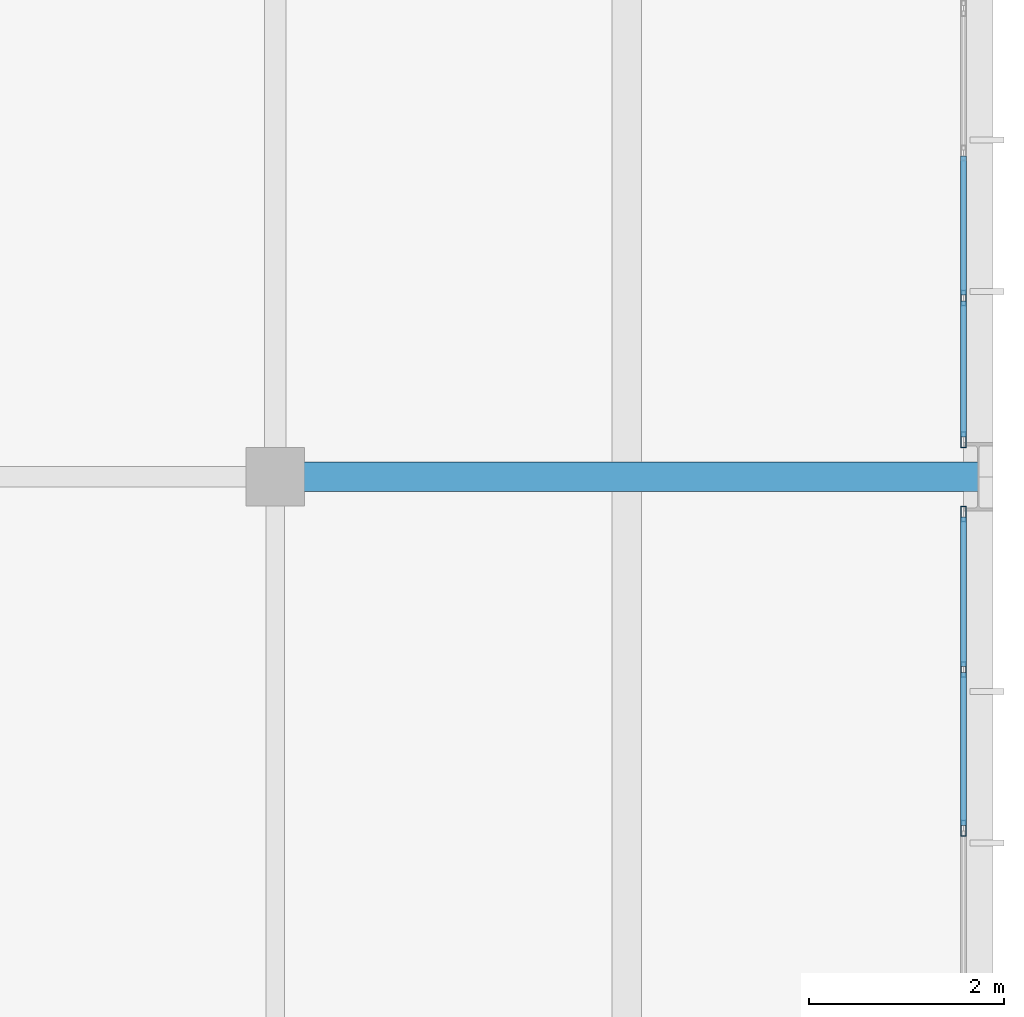
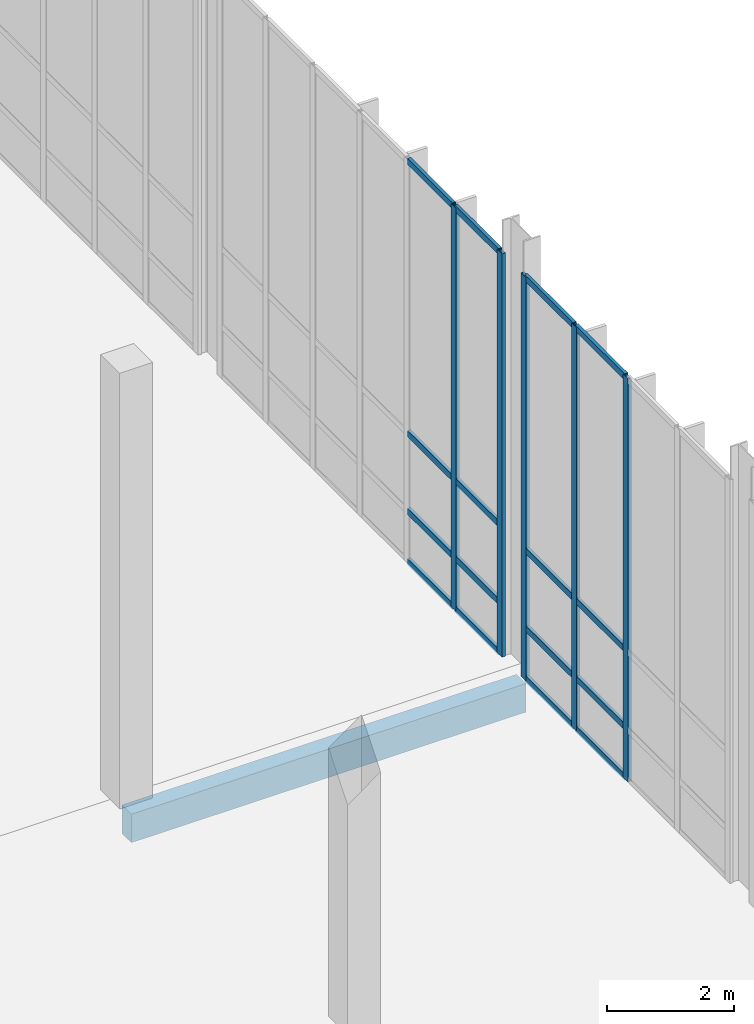
# One storey, part 92 of 131: 21 members, 1 beam, 2 elements without a shape of their own.
"""IFC4 building model written with IfcOpenShell, lengths in metres."""

from ifc_helpers import new_model, si_unit, direction, frame, origin, origin_2d, place, context, subcontext, project, spatial, rectangle, hollow_rectangle, extrude, material, material_profile, profile_set, type_object, element, aggregate, save


model = new_model("IFC4")

# Units and contexts
model_context = context("Model", 3, precision=1e-05, world=origin(), true_north=direction((0.0, 1.0)))
body_context = subcontext(model_context, "Body", "Model", "MODEL_VIEW")
ifc_project = project(units=[si_unit("LENGTHUNIT", "METRE"), si_unit("AREAUNIT", "SQUARE_METRE"), si_unit("VOLUMEUNIT", "CUBIC_METRE"), si_unit("PLANEANGLEUNIT", "RADIAN"), si_unit("MASSUNIT", "GRAM", prefix="KILO")], contexts=[model_context])

# Site, building, storey
site_placement = place(None, origin())
site = spatial("IfcSite", under=ifc_project, at=site_placement, CompositionType="ELEMENT")
building_placement = place(site_placement, origin())
building = spatial("IfcBuilding", under=site, at=building_placement, Name="Veltarok Museum of Natural Sciences", CompositionType="ELEMENT")
storey_placement = place(building_placement, origin())
storey = spatial("IfcBuildingStorey", under=building, at=storey_placement, Name="L00", CompositionType="ELEMENT", Elevation=0.0)

# Curtain wall, members
ifc_material_1 = material(Name="Low-iron triple insulated glass", Category="glass")
curtain_wall_type_1 = type_object("IfcCurtainWallType", Name="Curtain Wall System CW-V5E-L00-C-650x778 (V5 East Lab L00 C-D 650x778cm)", PredefinedType="NOTDEFINED", material=ifc_material_1)
curtain_wall_1_placement = place(storey_placement, origin())
curtain_wall_1 = element("IfcCurtainWall", 1, at=curtain_wall_1_placement, inside=storey, type_object=curtain_wall_type_1, Name="Curtain Wall CW-V5E-L00-C-650x778 CW-0100", PredefinedType="NOTDEFINED")
ifc_material_2 = material(Name="Thermally broken anodised aluminium", Category="aluminium")
ifc_material_profile_1 = material_profile(ifc_material_2, hollow_rectangle(XDim=0.06005859375, YDim=0.1201171875, WallThickness=0.0048828125, at=origin_2d()), Name="CW TRANSOM 60x120x5")
ifc_profile_set_1 = profile_set([ifc_material_profile_1], Name="Thermally broken anodised aluminium")
member_type_1 = type_object("IfcMemberType", Name="Curtain Wall Horizontal Transom 60x120x5", PredefinedType="USERDEFINED", material=ifc_profile_set_1)
member_1_placement = place(storey_placement, frame((164.64990234375, 22.830078125, 0.030029296875), z_axis=(0.0, 1.0, 0.0), x_axis=(-1.0, 0.0, 0.0)))
member_1 = element("IfcMember", 2, at=member_1_placement, type_object=member_type_1, Name="CW-V5E-L00-C-650x778 transom 3.1", ObjectType="TRANSOM", PredefinedType="USERDEFINED", context=body_context, shape_type="SweptSolid", body=[
    extrude(hollow_rectangle(XDim=0.06005859375, YDim=0.1201171875, WallThickness=0.0048828125, at=origin_2d()), origin(), (0.0, 0.0, 1.0), 1.56494140625),
])
member_2_placement = place(storey_placement, frame((164.64990234375, 22.830078125, 1.0), z_axis=(0.0, 1.0, 0.0), x_axis=(-1.0, 0.0, 0.0)))
member_2 = element("IfcMember", 3, at=member_2_placement, type_object=member_type_1, Name="CW-V5E-L00-C-650x778 transom 3.2", ObjectType="TRANSOM", PredefinedType="USERDEFINED", context=body_context, shape_type="SweptSolid", body=[
    extrude(hollow_rectangle(XDim=0.06005859375, YDim=0.1201171875, WallThickness=0.0048828125, at=origin_2d()), origin(), (0.0, 0.0, 1.0), 1.56494140625),
])
member_3_placement = place(storey_placement, frame((164.64990234375, 22.830078125, 2.5), z_axis=(0.0, 1.0, 0.0), x_axis=(-1.0, 0.0, 0.0)))
member_3 = element("IfcMember", 4, at=member_3_placement, type_object=member_type_1, Name="CW-V5E-L00-C-650x778 transom 3.3", ObjectType="TRANSOM", PredefinedType="USERDEFINED", context=body_context, shape_type="SweptSolid", body=[
    extrude(hollow_rectangle(XDim=0.06005859375, YDim=0.1201171875, WallThickness=0.0048828125, at=origin_2d()), origin(), (0.0, 0.0, 1.0), 1.56494140625),
])
member_4_placement = place(storey_placement, frame((164.64990234375, 22.830078125, 7.75), z_axis=(0.0, 1.0, 0.0), x_axis=(-1.0, 0.0, 0.0)))
member_4 = element("IfcMember", 5, at=member_4_placement, type_object=member_type_1, Name="CW-V5E-L00-C-650x778 transom 3.4", ObjectType="TRANSOM", PredefinedType="USERDEFINED", context=body_context, shape_type="SweptSolid", body=[
    extrude(hollow_rectangle(XDim=0.06005859375, YDim=0.1201171875, WallThickness=0.0048828125, at=origin_2d()), origin(), (0.0, 0.0, 1.0), 1.56494140625),
])
member_5_placement = place(storey_placement, frame((164.64990234375, 24.455078125, 0.030029296875), z_axis=(0.0, 1.0, 0.0), x_axis=(-1.0, 0.0, 0.0)))
member_5 = element("IfcMember", 6, at=member_5_placement, type_object=member_type_1, Name="CW-V5E-L00-C-650x778 transom 4.1", ObjectType="TRANSOM", PredefinedType="USERDEFINED", context=body_context, shape_type="SweptSolid", body=[
    extrude(hollow_rectangle(XDim=0.06005859375, YDim=0.1201171875, WallThickness=0.0048828125, at=origin_2d()), origin(), (0.0, 0.0, 1.0), 1.534912109375),
])
member_6_placement = place(storey_placement, frame((164.64990234375, 24.455078125, 1.0), z_axis=(0.0, 1.0, 0.0), x_axis=(-1.0, 0.0, 0.0)))
member_6 = element("IfcMember", 7, at=member_6_placement, type_object=member_type_1, Name="CW-V5E-L00-C-650x778 transom 4.2", ObjectType="TRANSOM", PredefinedType="USERDEFINED", context=body_context, shape_type="SweptSolid", body=[
    extrude(hollow_rectangle(XDim=0.06005859375, YDim=0.1201171875, WallThickness=0.0048828125, at=origin_2d()), origin(), (0.0, 0.0, 1.0), 1.534912109375),
])
member_7_placement = place(storey_placement, frame((164.64990234375, 24.455078125, 2.5), z_axis=(0.0, 1.0, 0.0), x_axis=(-1.0, 0.0, 0.0)))
member_7 = element("IfcMember", 8, at=member_7_placement, type_object=member_type_1, Name="CW-V5E-L00-C-650x778 transom 4.3", ObjectType="TRANSOM", PredefinedType="USERDEFINED", context=body_context, shape_type="SweptSolid", body=[
    extrude(hollow_rectangle(XDim=0.06005859375, YDim=0.1201171875, WallThickness=0.0048828125, at=origin_2d()), origin(), (0.0, 0.0, 1.0), 1.534912109375),
])
member_8_placement = place(storey_placement, frame((164.64990234375, 24.455078125, 7.75), z_axis=(0.0, 1.0, 0.0), x_axis=(-1.0, 0.0, 0.0)))
member_8 = element("IfcMember", 9, at=member_8_placement, type_object=member_type_1, Name="CW-V5E-L00-C-650x778 transom 4.4", ObjectType="TRANSOM", PredefinedType="USERDEFINED", context=body_context, shape_type="SweptSolid", body=[
    extrude(hollow_rectangle(XDim=0.06005859375, YDim=0.1201171875, WallThickness=0.0048828125, at=origin_2d()), origin(), (0.0, 0.0, 1.0), 1.534912109375),
])

curtain_wall_type_2 = type_object("IfcCurtainWallType", Name="Curtain Wall System CW-V5E-L00-D-890x778 (V5 East Lab L00 D-E 890x778cm)", PredefinedType="NOTDEFINED", material=ifc_material_1)
curtain_wall_2_placement = place(storey_placement, origin())
curtain_wall_2 = element("IfcCurtainWall", 10, at=curtain_wall_2_placement, inside=storey, type_object=curtain_wall_type_2, Name="Curtain Wall CW-V5E-L00-D-890x778 CW-0101", PredefinedType="NOTDEFINED")
member_9_placement = place(storey_placement, frame((164.64990234375, 26.81005859375, 0.030029296875), z_axis=(0.0, 1.0, 0.0), x_axis=(-1.0, 0.0, 0.0)))
member_9 = element("IfcMember", 11, at=member_9_placement, type_object=member_type_1, Name="CW-V5E-L00-D-890x778 transom 1.1", ObjectType="TRANSOM", PredefinedType="USERDEFINED", context=body_context, shape_type="SweptSolid", body=[
    extrude(hollow_rectangle(XDim=0.06005859375, YDim=0.1201171875, WallThickness=0.0048828125, at=origin_2d()), origin(), (0.0, 0.0, 1.0), 1.393310546875),
])
member_10_placement = place(storey_placement, frame((164.64990234375, 26.81005859375, 1.0), z_axis=(0.0, 1.0, 0.0), x_axis=(-1.0, 0.0, 0.0)))
member_10 = element("IfcMember", 12, at=member_10_placement, type_object=member_type_1, Name="CW-V5E-L00-D-890x778 transom 1.2", ObjectType="TRANSOM", PredefinedType="USERDEFINED", context=body_context, shape_type="SweptSolid", body=[
    extrude(hollow_rectangle(XDim=0.06005859375, YDim=0.1201171875, WallThickness=0.0048828125, at=origin_2d()), origin(), (0.0, 0.0, 1.0), 1.393310546875),
])
member_11_placement = place(storey_placement, frame((164.64990234375, 26.81005859375, 2.5), z_axis=(0.0, 1.0, 0.0), x_axis=(-1.0, 0.0, 0.0)))
member_11 = element("IfcMember", 13, at=member_11_placement, type_object=member_type_1, Name="CW-V5E-L00-D-890x778 transom 1.3", ObjectType="TRANSOM", PredefinedType="USERDEFINED", context=body_context, shape_type="SweptSolid", body=[
    extrude(hollow_rectangle(XDim=0.06005859375, YDim=0.1201171875, WallThickness=0.0048828125, at=origin_2d()), origin(), (0.0, 0.0, 1.0), 1.393310546875),
])
member_12_placement = place(storey_placement, frame((164.64990234375, 26.81005859375, 7.75), z_axis=(0.0, 1.0, 0.0), x_axis=(-1.0, 0.0, 0.0)))
member_12 = element("IfcMember", 14, at=member_12_placement, type_object=member_type_1, Name="CW-V5E-L00-D-890x778 transom 1.4", ObjectType="TRANSOM", PredefinedType="USERDEFINED", context=body_context, shape_type="SweptSolid", body=[
    extrude(hollow_rectangle(XDim=0.06005859375, YDim=0.1201171875, WallThickness=0.0048828125, at=origin_2d()), origin(), (0.0, 0.0, 1.0), 1.393310546875),
])
member_13_placement = place(storey_placement, frame((164.64990234375, 28.263427734375, 0.030029296875), z_axis=(0.0, 1.0, 0.0), x_axis=(-1.0, 0.0, 0.0)))
member_13 = element("IfcMember", 15, at=member_13_placement, type_object=member_type_1, Name="CW-V5E-L00-D-890x778 transom 2.1", ObjectType="TRANSOM", PredefinedType="USERDEFINED", context=body_context, shape_type="SweptSolid", body=[
    extrude(hollow_rectangle(XDim=0.06005859375, YDim=0.1201171875, WallThickness=0.0048828125, at=origin_2d()), origin(), (0.0, 0.0, 1.0), 1.42333984375),
])
member_14_placement = place(storey_placement, frame((164.64990234375, 28.263427734375, 1.0), z_axis=(0.0, 1.0, 0.0), x_axis=(-1.0, 0.0, 0.0)))
member_14 = element("IfcMember", 16, at=member_14_placement, type_object=member_type_1, Name="CW-V5E-L00-D-890x778 transom 2.2", ObjectType="TRANSOM", PredefinedType="USERDEFINED", context=body_context, shape_type="SweptSolid", body=[
    extrude(hollow_rectangle(XDim=0.06005859375, YDim=0.1201171875, WallThickness=0.0048828125, at=origin_2d()), origin(), (0.0, 0.0, 1.0), 1.42333984375),
])
member_15_placement = place(storey_placement, frame((164.64990234375, 28.263427734375, 2.5), z_axis=(0.0, 1.0, 0.0), x_axis=(-1.0, 0.0, 0.0)))
member_15 = element("IfcMember", 17, at=member_15_placement, type_object=member_type_1, Name="CW-V5E-L00-D-890x778 transom 2.3", ObjectType="TRANSOM", PredefinedType="USERDEFINED", context=body_context, shape_type="SweptSolid", body=[
    extrude(hollow_rectangle(XDim=0.06005859375, YDim=0.1201171875, WallThickness=0.0048828125, at=origin_2d()), origin(), (0.0, 0.0, 1.0), 1.42333984375),
])
member_16_placement = place(storey_placement, frame((164.64990234375, 28.263427734375, 7.75), z_axis=(0.0, 1.0, 0.0), x_axis=(-1.0, 0.0, 0.0)))
member_16 = element("IfcMember", 18, at=member_16_placement, type_object=member_type_1, Name="CW-V5E-L00-D-890x778 transom 2.4", ObjectType="TRANSOM", PredefinedType="USERDEFINED", context=body_context, shape_type="SweptSolid", body=[
    extrude(hollow_rectangle(XDim=0.06005859375, YDim=0.1201171875, WallThickness=0.0048828125, at=origin_2d()), origin(), (0.0, 0.0, 1.0), 1.42333984375),
])

# Member
ifc_material_profile_2 = material_profile(ifc_material_2, hollow_rectangle(XDim=0.06005859375, YDim=0.159912109375, WallThickness=0.0048828125, at=origin_2d()), Name="CW MULLION 60x160x5")
ifc_profile_set_2 = profile_set([ifc_material_profile_2], Name="Thermally broken anodised aluminium")
member_type_2 = type_object("IfcMemberType", Name="Curtain Wall Vertical Mullion 60x160x5", PredefinedType="MULLION", material=ifc_profile_set_2)
member_17_placement = place(storey_placement, frame((164.64990234375, 22.800048828125, 0.0), z_axis=(0.0, 0.0, 1.0), x_axis=(-1.0, 0.0, 0.0)))
member_17 = element("IfcMember", 19, at=member_17_placement, type_object=member_type_2, Name="CW-V5E-L00-C-650x778 mullion 3", PredefinedType="MULLION", context=body_context, shape_type="SweptSolid", body=[
    extrude(hollow_rectangle(XDim=0.06005859375, YDim=0.159912109375, WallThickness=0.0048828125, at=origin_2d()), origin(), (0.0, 0.0, 1.0), 7.780029296875),
])

member_18_placement = place(storey_placement, frame((164.64990234375, 24.425048828125, 0.0), z_axis=(0.0, 0.0, 1.0), x_axis=(-1.0, 0.0, 0.0)))
member_18 = element("IfcMember", 20, at=member_18_placement, type_object=member_type_2, Name="CW-V5E-L00-C-650x778 mullion 4", PredefinedType="MULLION", context=body_context, shape_type="SweptSolid", body=[
    extrude(hollow_rectangle(XDim=0.06005859375, YDim=0.159912109375, WallThickness=0.0048828125, at=origin_2d()), origin(), (0.0, 0.0, 1.0), 7.780029296875),
])

member_19_placement = place(storey_placement, frame((164.64990234375, 26.02001953125, 0.0), z_axis=(0.0, 0.0, 1.0), x_axis=(-1.0, 0.0, 0.0)))
member_19 = element("IfcMember", 21, at=member_19_placement, type_object=member_type_2, Name="CW-V5E-L00-C-650x778 mullion 5", PredefinedType="MULLION", context=body_context, shape_type="SweptSolid", body=[
    extrude(hollow_rectangle(XDim=0.06005859375, YDim=0.159912109375, WallThickness=0.0048828125, at=origin_2d()), origin(), (0.0, 0.0, 1.0), 7.780029296875),
])

aggregate(curtain_wall_1, [member_17, member_18, member_19, member_1, member_2, member_3, member_4, member_5, member_6, member_7, member_8])

member_20_placement = place(storey_placement, frame((164.64990234375, 26.780029296875, 0.0), z_axis=(0.0, 0.0, 1.0), x_axis=(-1.0, 0.0, 0.0)))
member_20 = element("IfcMember", 22, at=member_20_placement, type_object=member_type_2, Name="CW-V5E-L00-D-890x778 mullion 1", PredefinedType="MULLION", context=body_context, shape_type="SweptSolid", body=[
    extrude(hollow_rectangle(XDim=0.06005859375, YDim=0.159912109375, WallThickness=0.0048828125, at=origin_2d()), origin(), (0.0, 0.0, 1.0), 7.780029296875),
])

member_21_placement = place(storey_placement, frame((164.64990234375, 28.2333984375, 0.0), z_axis=(0.0, 0.0, 1.0), x_axis=(-1.0, 0.0, 0.0)))
member_21 = element("IfcMember", 23, at=member_21_placement, type_object=member_type_2, Name="CW-V5E-L00-D-890x778 mullion 2", PredefinedType="MULLION", context=body_context, shape_type="SweptSolid", body=[
    extrude(hollow_rectangle(XDim=0.06005859375, YDim=0.159912109375, WallThickness=0.0048828125, at=origin_2d()), origin(), (0.0, 0.0, 1.0), 7.780029296875),
])

aggregate(curtain_wall_2, [member_20, member_21, member_9, member_10, member_11, member_12, member_13, member_14, member_15, member_16])

# Beam
ifc_material_3 = material(Name="Precast concrete C40/50", Category="concrete")
ifc_material_profile_3 = material_profile(ifc_material_3, rectangle(XDim=0.300048828125, YDim=0.550048828125, at=origin_2d()), Name="RC 300x550")
ifc_profile_set_3 = profile_set([ifc_material_profile_3], Name="Precast concrete C40/50")
beam_type = type_object("IfcBeamType", Name="East Wing Precast Spandrel RC 300x550", PredefinedType="SPANDREL", material=ifc_profile_set_3)
beam_placement = place(storey_placement, frame((157.60009765625, 26.39990234375, -0.574951171875), z_axis=(1.0, 0.0, 0.0), x_axis=(0.0, 1.0, 0.0)))
element("IfcBeam", 24, at=beam_placement, inside=storey, type_object=beam_type, Name="Beam BM-SP02 L00 19-20/D", PredefinedType="SPANDREL", context=body_context, shape_type="SweptSolid", body=[
    extrude(rectangle(XDim=0.300048828125, YDim=0.550048828125, at=origin_2d()), origin(), (0.0, 0.0, 1.0), 7.199951171875),
])

save(model, "model.ifc")
